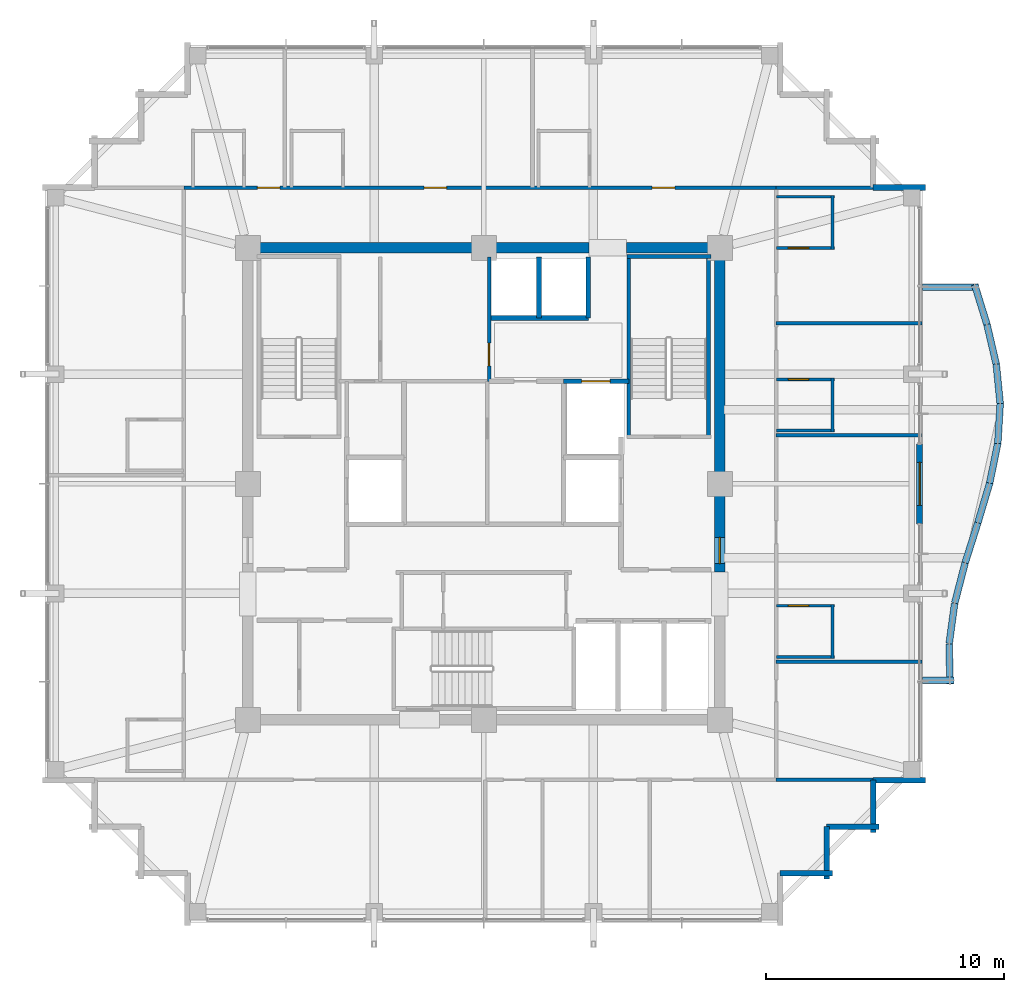
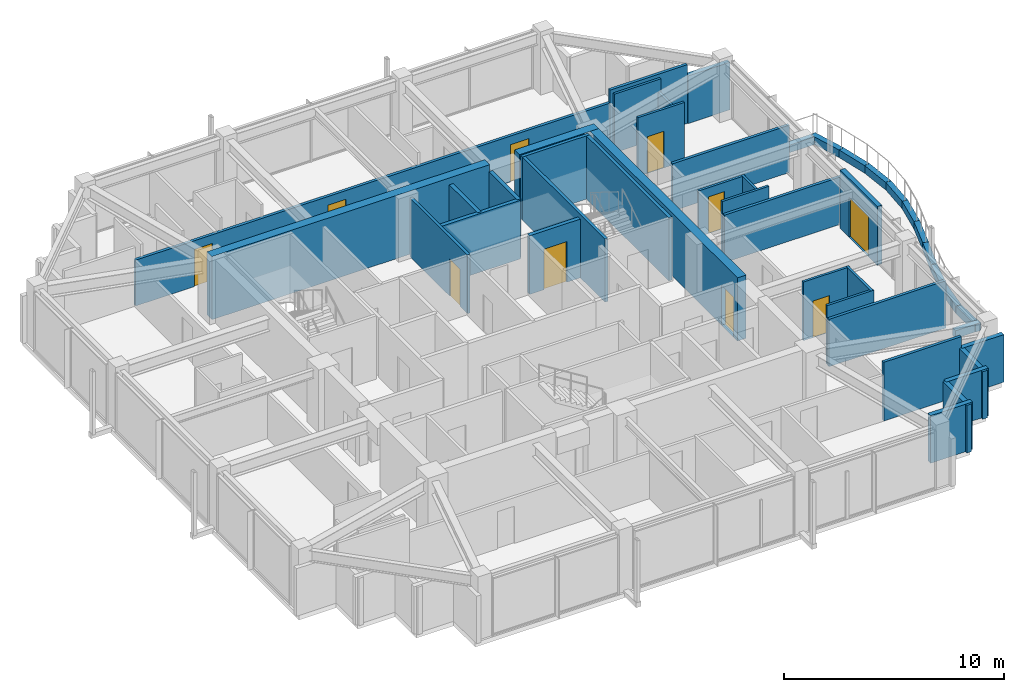
# One storey, part 26 of 29: 45 walls, 10 doors, 10 openings.
"""IFC4 building model written with IfcOpenShell, lengths in metres."""

from ifc_helpers import new_model, si_unit, direction, frame, frame_2d, origin, place, context, subcontext, project, spatial, rectangle, extrude, material, layer, layer_set, type_object, element, fill, save


model = new_model("IFC4")

# Units and contexts
model_context = context("Model", 3, precision=1e-05, world=origin(), true_north=direction((0.0, 1.0)))
body_context = subcontext(model_context, "Body", "Model", "MODEL_VIEW")
ifc_project = project(units=[si_unit("LENGTHUNIT", "METRE"), si_unit("AREAUNIT", "SQUARE_METRE"), si_unit("VOLUMEUNIT", "CUBIC_METRE"), si_unit("PLANEANGLEUNIT", "RADIAN"), si_unit("MASSUNIT", "GRAM", prefix="KILO")], contexts=[model_context])

# Site, building, storey
site_placement = place(None, origin())
site = spatial("IfcSite", under=ifc_project, at=site_placement, CompositionType="ELEMENT")
building_placement = place(site_placement, origin())
building = spatial("IfcBuilding", under=site, at=building_placement, Name="Kolvaren Belvedere", CompositionType="ELEMENT")
storey_placement = place(building_placement, frame((0.0, 0.0, 244.39990234375)))
storey = spatial("IfcBuildingStorey", under=building, at=storey_placement, Name="L71", CompositionType="ELEMENT", Elevation=244.39990234375)

# Walls
ifc_material_1 = material(Name="Concrete C50/60", Category="concrete")
ifc_layer_1 = layer(ifc_material_1, 0.449951171875)
ifc_layer_set_1 = layer_set([ifc_layer_1], Name="Concrete C50/60")
wall_type_1 = type_object("IfcWallType", Name="CW-CORE-450", PredefinedType="SHEAR", material=ifc_layer_set_1)
wall_1_placement = place(storey_placement, frame((-10.125, 9.89990234375, 0.0), z_axis=(0.0, 0.0, 1.0), x_axis=(1.0, 0.0, 0.0)))
element("IfcWall", 1, at=wall_1_placement, inside=storey, type_object=wall_type_1, Name="L71 North Core Shear Wall 1", PredefinedType="SHEAR", context=body_context, shape_type="SweptSolid", body=[
    extrude(rectangle(XDim=14.544921875, YDim=0.449951171875, at=frame_2d((7.2724609375, 0.0))), origin(), (0.0, 0.0, 1.0), 3.5),
])
wall_2_placement = place(storey_placement, frame((5.97998046875, 9.89990234375, 0.0), z_axis=(0.0, 0.0, 1.0), x_axis=(1.0, 0.0, 0.0)))
element("IfcWall", 2, at=wall_2_placement, inside=storey, type_object=wall_type_1, Name="L71 North Core Shear Wall 2", PredefinedType="SHEAR", context=body_context, shape_type="SweptSolid", body=[
    extrude(rectangle(XDim=4.14501953125, YDim=0.449951171875, at=frame_2d((2.072509765625, 0.0))), origin(), (0.0, 0.0, 1.0), 3.5),
])

# Wall, opening, door
wall_3_placement = place(storey_placement, frame((9.89990234375, -3.699951171875, 0.0), z_axis=(0.0, 0.0, 1.0), x_axis=(0.0, 1.0, 0.0)))
wall_3 = element("IfcWall", 3, at=wall_3_placement, inside=storey, type_object=wall_type_1, Name="L71 East Core Shear Wall 2", PredefinedType="SHEAR", context=body_context, shape_type="SweptSolid", body=[
    extrude(rectangle(XDim=13.375, YDim=0.449951171875, at=frame_2d((6.6875, 0.0))), origin(), (0.0, 0.0, 1.0), 3.5),
])
opening_1_placement = place(wall_3_placement, frame((0.35009765625, 0.0, 0.0)))
opening_1 = element("IfcOpeningElement", 4, at=opening_1_placement, cuts=wall_3, Name="Opening D-FD90", PredefinedType="OPENING", context=body_context, shape_type="SweptSolid", body=[
    extrude(rectangle(XDim=1.10009765625, YDim=2.199951171875, at=frame_2d((0.550048828125, 1.10009765625))), frame((0.0, 0.23486328125, 0.0), z_axis=(0.0, -1.0, 0.0), x_axis=(1.0, 0.0, 0.0)), (0.0, 0.0, 1.0), 0.469970703125),
])
ifc_material_2 = material(Name="Painted hollow stainless steel", Category="steel")
door_type_1 = type_object("IfcDoorType", Name="DR-FD90-1100", OperationType="NOTDEFINED", PredefinedType="DOOR", material=ifc_material_2)
door_1_placement = place(opening_1_placement, origin())
door_1 = element("IfcDoor", 5, at=door_1_placement, inside=storey, type_object=door_type_1, Name="L71 East Firefighting Lobby Fire Door", OperationType="SINGLE_SWING_RIGHT", OverallHeight=2.199951171875, OverallWidth=1.10009765625, PredefinedType="DOOR", context=body_context, shape_type="SweptSolid", body=[
    extrude(rectangle(XDim=1.10009765625, YDim=2.199951171875, at=frame_2d((0.550048828125, 1.10009765625))), frame((0.0, 0.02490234375, 0.0), z_axis=(0.0, -1.0, 0.0), x_axis=(1.0, 0.0, 0.0)), (0.0, 0.0, 1.0), 0.050048828125),
])
fill(opening_1, door_1)

# Walls
ifc_material_3 = material(Name="Concrete C50/60", Category="concrete")
ifc_layer_2 = layer(ifc_material_3, 0.159912109375)
ifc_layer_set_2 = layer_set([ifc_layer_2], Name="Concrete C50/60")
wall_type_2 = type_object("IfcWallType", Name="CW-STAIR-160", PredefinedType="SHEAR", material=ifc_layer_set_2)
wall_4_placement = place(storey_placement, frame((6.0, 9.530029296875, 0.0), z_axis=(0.0, 0.0, 1.0), x_axis=(1.0, 0.0, 0.0)))
element("IfcWall", 6, at=wall_4_placement, inside=storey, type_object=wall_type_2, Name="L71 Stair ST-2 North Shear Wall", PredefinedType="SHEAR", context=body_context, shape_type="SweptSolid", body=[
    extrude(rectangle(XDim=3.52001953125, YDim=0.159912109375, at=frame_2d((1.760009765625, 0.0))), origin(), (0.0, 0.0, 1.0), 3.5),
])
for number, where, z_axis, x_axis, name in (
    (7, (6.080078125, 1.969970703125, 0.0), (0.0, 0.0, 1.0), (0.0, 1.0, 0.0), "L71 Stair ST-2 West Shear Wall"),
    (8, (9.429931640625, 1.969970703125, 0.0), (0.0, 0.0, 1.0), (0.0, 1.0, 0.0), "L71 Stair ST-2 East Shear Wall"),
):
    element("IfcWall", number, at=place(storey_placement, frame(where, z_axis=z_axis, x_axis=x_axis)), inside=storey, type_object=wall_type_2, Name=name, PredefinedType="SHEAR", context=body_context, shape_type="SweptSolid", body=[
        extrude(rectangle(XDim=7.56005859375, YDim=0.159912109375, at=frame_2d((3.780029296875, 0.0))), origin(), (0.0, 0.0, 1.0), 3.5),
    ])

# Wall, openings, doors
ifc_material_4 = material(Name="Gypsum fire-rated partition assembly", Category="gypsum")
ifc_layer_3 = layer(ifc_material_4, 0.14990234375)
ifc_layer_set_3 = layer_set([ifc_layer_3], Name="Gypsum fire-rated partition assembly")
wall_type_3 = type_object("IfcWallType", Name="WL-CORR-150", PredefinedType="PARTITIONING", material=ifc_layer_set_3)
wall_5_placement = place(storey_placement, frame((-12.580078125, 12.419921875, 0.0), z_axis=(0.0, 0.0, 1.0), x_axis=(1.0, 0.0, 0.0)))
wall_5 = element("IfcWall", 9, at=wall_5_placement, inside=storey, type_object=wall_type_3, Name="L71 North Corridor Wall", PredefinedType="PARTITIONING", context=body_context, shape_type="SweptSolid", body=[
    extrude(rectangle(XDim=24.840087890625, YDim=0.14990234375, at=frame_2d((12.419921875, 0.0))), origin(), (0.0, 0.0, 1.0), 2.5390625),
])
opening_2_placement = place(wall_5_placement, frame((3.079345703125, 0.0, 0.0)))
opening_2 = element("IfcOpeningElement", 10, at=opening_2_placement, cuts=wall_5, Name="Opening D-FD60", PredefinedType="OPENING", context=body_context, shape_type="SweptSolid", body=[
    extrude(rectangle(XDim=0.949951171875, YDim=2.06005859375, at=frame_2d((0.47509765625, 1.030029296875))), frame((0.0, 0.0849609375, 0.0), z_axis=(0.0, -1.0, 0.0), x_axis=(1.0, 0.0, 0.0)), (0.0, 0.0, 1.0), 0.169921875),
])
opening_3_placement = place(wall_5_placement, frame((10.074951171875, 0.0, 0.0)))
opening_3 = element("IfcOpeningElement", 11, at=opening_3_placement, cuts=wall_5, Name="Opening D-FD60", PredefinedType="OPENING", context=body_context, shape_type="SweptSolid", body=[
    extrude(rectangle(XDim=0.949951171875, YDim=2.06005859375, at=frame_2d((0.47509765625, 1.030029296875))), frame((0.0, 0.0849609375, 0.0), z_axis=(0.0, -1.0, 0.0), x_axis=(1.0, 0.0, 0.0)), (0.0, 0.0, 1.0), 0.169921875),
])
opening_4_placement = place(wall_5_placement, frame((19.639892578125, 0.0, 0.0)))
opening_4 = element("IfcOpeningElement", 12, at=opening_4_placement, cuts=wall_5, Name="Opening D-FD60", PredefinedType="OPENING", context=body_context, shape_type="SweptSolid", body=[
    extrude(rectangle(XDim=0.949951171875, YDim=2.06005859375, at=frame_2d((0.47509765625, 1.030029296875))), frame((0.0, 0.0849609375, 0.0), z_axis=(0.0, -1.0, 0.0), x_axis=(1.0, 0.0, 0.0)), (0.0, 0.0, 1.0), 0.169921875),
])
ifc_material_5 = material(Name="Acoustic white-oak fire door leaf", Category="timber")
door_type_2 = type_object("IfcDoorType", Name="DR-FD60-950", OperationType="NOTDEFINED", PredefinedType="DOOR", material=ifc_material_5)
door_2_placement = place(opening_2_placement, origin())
door_2 = element("IfcDoor", 13, at=door_2_placement, inside=storey, type_object=door_type_2, Name="L71 Twin Guest Room 7109 Entry Door", OperationType="SINGLE_SWING_LEFT", OverallHeight=2.06005859375, OverallWidth=0.949951171875, PredefinedType="DOOR", context=body_context, shape_type="SweptSolid", body=[
    extrude(rectangle(XDim=0.949951171875, YDim=2.06005859375, at=frame_2d((0.47509765625, 1.030029296875))), frame((0.0, 0.02490234375, 0.0), z_axis=(0.0, -1.0, 0.0), x_axis=(1.0, 0.0, 0.0)), (0.0, 0.0, 1.0), 0.050048828125),
])
fill(opening_2, door_2)
door_3_placement = place(opening_3_placement, origin())
door_3 = element("IfcDoor", 14, at=door_3_placement, inside=storey, type_object=door_type_2, Name="L71 Deluxe King Guest Room 7110 Entry Door", OperationType="SINGLE_SWING_LEFT", OverallHeight=2.06005859375, OverallWidth=0.949951171875, PredefinedType="DOOR", context=body_context, shape_type="SweptSolid", body=[
    extrude(rectangle(XDim=0.949951171875, YDim=2.06005859375, at=frame_2d((0.47509765625, 1.030029296875))), frame((0.0, 0.02490234375, 0.0), z_axis=(0.0, -1.0, 0.0), x_axis=(1.0, 0.0, 0.0)), (0.0, 0.0, 1.0), 0.050048828125),
])
fill(opening_3, door_3)
door_4_placement = place(opening_4_placement, origin())
door_4 = element("IfcDoor", 15, at=door_4_placement, inside=storey, type_object=door_type_2, Name="L71 Twin Guest Room 7111 Entry Door", OperationType="SINGLE_SWING_LEFT", OverallHeight=2.06005859375, OverallWidth=0.949951171875, PredefinedType="DOOR", context=body_context, shape_type="SweptSolid", body=[
    extrude(rectangle(XDim=0.949951171875, YDim=2.06005859375, at=frame_2d((0.47509765625, 1.030029296875))), frame((0.0, 0.02490234375, 0.0), z_axis=(0.0, -1.0, 0.0), x_axis=(1.0, 0.0, 0.0)), (0.0, 0.0, 1.0), 0.050048828125),
])
fill(opening_4, door_4)

# Walls
ifc_material_6 = material(Name="Insulated pale-metal facade wall assembly", Category="aluminium")
ifc_layer_4 = layer(ifc_material_6, 0.239990234375)
ifc_layer_set_4 = layer_set([ifc_layer_4], Name="Insulated pale-metal facade wall assembly")
wall_type_4 = type_object("IfcWallType", Name="WL-EXT-240", PredefinedType="STANDARD", material=ifc_layer_set_4)
for number, where, z_axis, x_axis, name in (
    (16, (14.6201171875, -16.330078125, 0.0), (0.0, 0.0, 1.0), (-1.0, 0.0, 0.0), "L71 Serrated Corner Facade Wall 3"),
    (17, (14.3798828125, -14.3798828125, 0.0), (0.0, 0.0, 1.0), (0.0, -1.0, 0.0), "L71 Serrated Corner Facade Wall 4"),
    (18, (16.570068359375, -14.3798828125, 0.0), (0.0, 0.0, 1.0), (-1.0, 0.0, 0.0), "L71 Serrated Corner Facade Wall 5"),
    (19, (16.330078125, -12.429931640625, 0.0), (0.0, 0.0, 1.0), (0.0, -1.0, 0.0), "L71 Serrated Corner Facade Wall 6"),
):
    element("IfcWall", number, at=place(storey_placement, frame(where, z_axis=z_axis, x_axis=x_axis)), inside=storey, type_object=wall_type_4, Name=name, PredefinedType="STANDARD", context=body_context, shape_type="SweptSolid", body=[
        extrude(rectangle(XDim=2.190185546875, YDim=0.239990234375, at=frame_2d((1.09521484375, 0.0))), origin(), (0.0, 0.0, 1.0), 2.633056640625),
    ])
wall_6_placement = place(storey_placement, frame((18.52001953125, -12.429931640625, 0.0), z_axis=(0.0, 0.0, 1.0), x_axis=(-1.0, 0.0, 0.0)))
element("IfcWall", 20, at=wall_6_placement, inside=storey, type_object=wall_type_4, Name="L71 Serrated Corner Facade Wall 7", PredefinedType="STANDARD", context=body_context, shape_type="SweptSolid", body=[
    extrude(rectangle(XDim=2.18994140625, YDim=0.239990234375, at=frame_2d((1.094970703125, 0.0))), origin(), (0.0, 0.0, 1.0), 2.633056640625),
])

# Wall, opening, door
wall_7_placement = place(storey_placement, frame((18.280029296875, 1.679931640625, 0.0), z_axis=(0.0, 0.0, 1.0), x_axis=(0.0, -1.0, 0.0)))
wall_7 = element("IfcWall", 21, at=wall_7_placement, inside=storey, type_object=wall_type_4, Name="L71 East Terrace Portal Wall", PredefinedType="STANDARD", context=body_context, shape_type="SweptSolid", body=[
    extrude(rectangle(XDim=3.35986328125, YDim=0.239990234375, at=frame_2d((1.679931640625, 0.0))), origin(), (0.0, 0.0, 1.0), 3.25),
])
opening_5_placement = place(wall_7_placement, frame((0.780029296875, 0.0, 0.0)))
opening_5 = element("IfcOpeningElement", 22, at=opening_5_placement, cuts=wall_7, Name="Opening DB-1800", PredefinedType="OPENING", context=body_context, shape_type="SweptSolid", body=[
    extrude(rectangle(XDim=1.800048828125, YDim=2.199951171875, at=frame_2d((0.89990234375, 1.10009765625))), frame((0.0, 0.1298828125, 0.0), z_axis=(0.0, -1.0, 0.0), x_axis=(1.0, 0.0, 0.0)), (0.0, 0.0, 1.0), 0.260009765625),
])
ifc_material_7 = material(Name="Thermally broken pale-metal aluminium & low-iron glass", Category="aluminium")
door_type_3 = type_object("IfcDoorType", Name="DR-BAL-1800", OperationType="DOUBLE_DOOR_SLIDING", PredefinedType="DOOR", material=ifc_material_7)
door_5_placement = place(opening_5_placement, origin())
door_5 = element("IfcDoor", 23, at=door_5_placement, inside=storey, type_object=door_type_3, Name="L71 East Planted Terrace Sliding Door", OperationType="DOUBLE_DOOR_SLIDING", OverallHeight=2.199951171875, OverallWidth=1.800048828125, PredefinedType="DOOR", context=body_context, shape_type="SweptSolid", body=[
    extrude(rectangle(XDim=1.800048828125, YDim=2.199951171875, at=frame_2d((0.89990234375, 1.10009765625))), frame((0.0, 0.02490234375, 0.0), z_axis=(0.0, -1.0, 0.0), x_axis=(1.0, 0.0, 0.0)), (0.0, 0.0, 1.0), 0.050048828125),
])
fill(opening_5, door_5)

# Wall
wall_8_placement = place(storey_placement, frame((16.330078125, 12.429931640625, 0.0), z_axis=(0.0, 0.0, 1.0), x_axis=(1.0, 0.0, 0.0)))
element("IfcWall", 24, at=wall_8_placement, inside=storey, type_object=wall_type_4, Name="L71 Serrated Corner Facade Wall 9", PredefinedType="STANDARD", context=body_context, shape_type="SweptSolid", body=[
    extrude(rectangle(XDim=2.18994140625, YDim=0.239990234375, at=frame_2d((1.094970703125, 0.0))), origin(), (0.0, 0.0, 1.0), 2.633056640625),
])

# Wall, opening, door
ifc_material_8 = material(Name="Gypsum acoustic partition assembly", Category="gypsum")
ifc_layer_5 = layer(ifc_material_8, 0.14990234375)
ifc_layer_set_5 = layer_set([ifc_layer_5], Name="Gypsum acoustic partition assembly")
wall_type_5 = type_object("IfcWallType", Name="WL-PART-150", PredefinedType="PARTITIONING", material=ifc_layer_set_5)
wall_9_placement = place(storey_placement, frame((0.219970703125, 4.300048828125, 0.0), z_axis=(0.0, 0.0, 1.0), x_axis=(0.0, 1.0, 0.0)))
wall_9 = element("IfcWall", 25, at=wall_9_placement, inside=storey, type_object=wall_type_5, Name="L71 Reclaimed Salon East Wall", PredefinedType="PARTITIONING", context=body_context, shape_type="SweptSolid", body=[
    extrude(rectangle(XDim=5.219970703125, YDim=0.14990234375, at=frame_2d((2.60986328125, 0.0))), origin(), (0.0, 0.0, 1.0), 3.25),
])
opening_6_placement = place(wall_9_placement, frame((0.64990234375, 0.0, 0.0)))
opening_6 = element("IfcOpeningElement", 26, at=opening_6_placement, cuts=wall_9, Name="Opening D-INT95", PredefinedType="OPENING", context=body_context, shape_type="SweptSolid", body=[
    extrude(rectangle(XDim=0.949951171875, YDim=2.06005859375, at=frame_2d((0.47509765625, 1.030029296875))), frame((0.0, 0.0849609375, 0.0), z_axis=(0.0, -1.0, 0.0), x_axis=(1.0, 0.0, 0.0)), (0.0, 0.0, 1.0), 0.169921875),
])
ifc_material_9 = material(Name="Stained Pacific white oak", Category="timber")
door_type_4 = type_object("IfcDoorType", Name="DR-INT-950", OperationType="NOTDEFINED", PredefinedType="DOOR", material=ifc_material_9)
door_6_placement = place(opening_6_placement, origin())
door_6 = element("IfcDoor", 27, at=door_6_placement, inside=storey, type_object=door_type_4, Name="L71 Art Salon Door", OperationType="SINGLE_SWING_LEFT", OverallHeight=2.06005859375, OverallWidth=0.949951171875, PredefinedType="DOOR", context=body_context, shape_type="SweptSolid", body=[
    extrude(rectangle(XDim=0.949951171875, YDim=2.06005859375, at=frame_2d((0.47509765625, 1.030029296875))), frame((0.0, 0.02490234375, 0.0), z_axis=(0.0, -1.0, 0.0), x_axis=(1.0, 0.0, 0.0)), (0.0, 0.0, 1.0), 0.050048828125),
])
fill(opening_6, door_6)

# Walls
for number, where, z_axis, x_axis, name in (
    (28, (12.260009765625, -12.419921875, 0.0), (0.0, 0.0, 1.0), (1.0, 0.0, 0.0), "L71 Wing Divider PW-L71-QSE"),
    (29, (12.260009765625, 12.419921875, 0.0), (0.0, 0.0, 1.0), (1.0, 0.0, 0.0), "L71 Wing Divider PW-L71-QNE"),
):
    element("IfcWall", number, at=place(storey_placement, frame(where, z_axis=z_axis, x_axis=x_axis)), inside=storey, type_object=wall_type_5, Name=name, PredefinedType="PARTITIONING", context=body_context, shape_type="SweptSolid", body=[
        extrude(rectangle(XDim=4.06005859375, YDim=0.14990234375, at=frame_2d((2.030029296875, 0.0))), origin(), (0.0, 0.0, 1.0), 3.25),
    ])
for number, where, z_axis, x_axis, name in (
    (30, (12.260009765625, -7.4599609375, 0.0), (0.0, 0.0, 1.0), (1.0, 0.0, 0.0), "L71 East Suite Demising Wall 1"),
    (31, (12.260009765625, 2.0400390625, 0.0), (0.0, 0.0, 1.0), (1.0, 0.0, 0.0), "L71 East Suite Demising Wall 2"),
    (32, (12.260009765625, 6.739990234375, 0.0), (0.0, 0.0, 1.0), (1.0, 0.0, 0.0), "L71 East Suite Demising Wall 3"),
):
    element("IfcWall", number, at=place(storey_placement, frame(where, z_axis=z_axis, x_axis=x_axis)), inside=storey, type_object=wall_type_5, Name=name, PredefinedType="PARTITIONING", context=body_context, shape_type="SweptSolid", body=[
        extrude(rectangle(XDim=6.119873046875, YDim=0.14990234375, at=frame_2d((3.06005859375, 0.0))), origin(), (0.0, 0.0, 1.0), 2.623046875),
    ])
ifc_material_10 = material(Name="Precast concrete C40/50", Category="concrete")
ifc_layer_6 = layer(ifc_material_10, 0.300048828125)
ifc_layer_set_6 = layer_set([ifc_layer_6], Name="Precast concrete C40/50")
wall_type_6 = type_object("IfcWallType", Name="WL-PLANTER-300", PredefinedType="PARAPET", material=ifc_layer_set_6)
wall_10_placement = place(storey_placement, frame((19.552978515625, -8.4033203125, -0.06982421875), z_axis=(0.0, 0.0, 1.0), x_axis=(-0.020193498486, 0.99979609052, 0.0)))
element("IfcWall", 33, at=wall_10_placement, inside=storey, type_object=wall_type_6, Name="L71 Precast Structural Planter Wall BAL-E-1", PredefinedType="PARAPET", context=body_context, shape_type="SweptSolid", body=[
    extrude(rectangle(XDim=1.680419921875, YDim=0.280029296875, at=frame_2d((0.84033203125, 0.0))), origin(), (0.0, 0.0, 1.0), 0.419921875),
])
wall_11_placement = place(storey_placement, frame((19.5205078125, -6.698486328125, -0.06982421875), z_axis=(0.0, 0.0, 1.0), x_axis=(0.134907602079, 0.990858183042, 0.0)))
element("IfcWall", 34, at=wall_11_placement, inside=storey, type_object=wall_type_6, Name="L71 Precast Structural Planter Wall BAL-E-2", PredefinedType="PARAPET", context=body_context, shape_type="SweptSolid", body=[
    extrude(rectangle(XDim=1.695556640625, YDim=0.280029296875, at=frame_2d((0.84765625, 0.0))), origin(), (0.0, 0.0, 1.0), 0.419921875),
])
wall_12_placement = place(storey_placement, frame((19.7529296875, -5.0, -0.06982421875), z_axis=(0.0, 0.0, 1.0), x_axis=(0.250405556038, 0.968141031826, 0.0)))
element("IfcWall", 35, at=wall_12_placement, inside=storey, type_object=wall_type_6, Name="L71 Precast Structural Planter Wall BAL-E-3", PredefinedType="PARAPET", context=body_context, shape_type="SweptSolid", body=[
    extrude(rectangle(XDim=1.7353515625, YDim=0.280029296875, at=frame_2d((0.86767578125, 0.0))), origin(), (0.0, 0.0, 1.0), 0.419921875),
])
wall_13_placement = place(storey_placement, frame((20.18994140625, -3.3115234375, -0.06982421875), z_axis=(0.0, 0.0, 1.0), x_axis=(0.302397356111, 0.953181954832, 0.0)))
element("IfcWall", 36, at=wall_13_placement, inside=storey, type_object=wall_type_6, Name="L71 Precast Structural Planter Wall BAL-E-4", PredefinedType="PARAPET", context=body_context, shape_type="SweptSolid", body=[
    extrude(rectangle(XDim=1.762451171875, YDim=0.280029296875, at=frame_2d((0.88134765625, 0.0))), origin(), (0.0, 0.0, 1.0), 0.419921875),
])
wall_14_placement = place(storey_placement, frame((20.721923828125, -1.634521484375, -0.06982421875), z_axis=(0.0, 0.0, 1.0), x_axis=(0.284970268083, 0.958536356279, 0.0)))
element("IfcWall", 37, at=wall_14_placement, inside=storey, type_object=wall_type_6, Name="L71 Precast Structural Planter Wall BAL-E-5", PredefinedType="PARAPET", context=body_context, shape_type="SweptSolid", body=[
    extrude(rectangle(XDim=1.7529296875, YDim=0.280029296875, at=frame_2d((0.87646484375, 0.0))), origin(), (0.0, 0.0, 1.0), 0.419921875),
])
wall_15_placement = place(storey_placement, frame((21.218017578125, 0.031982421875, -0.06982421875), z_axis=(0.0, 0.0, 1.0), x_axis=(0.199647526069, 0.979867779516, 0.0)))
element("IfcWall", 38, at=wall_15_placement, inside=storey, type_object=wall_type_6, Name="L71 Precast Structural Planter Wall BAL-E-6", PredefinedType="PARAPET", context=body_context, shape_type="SweptSolid", body=[
    extrude(rectangle(XDim=1.71435546875, YDim=0.280029296875, at=frame_2d((0.857177734375, 0.0))), origin(), (0.0, 0.0, 1.0), 0.419921875),
])
wall_16_placement = place(storey_placement, frame((21.5576171875, 1.689697265625, -0.06982421875), z_axis=(0.0, 0.0, 1.0), x_axis=(0.061059932685, 0.998134101522, 0.0)))
element("IfcWall", 39, at=wall_16_placement, inside=storey, type_object=wall_type_6, Name="L71 Precast Structural Planter Wall BAL-E-7", PredefinedType="PARAPET", context=body_context, shape_type="SweptSolid", body=[
    extrude(rectangle(XDim=1.683349609375, YDim=0.280029296875, at=frame_2d((0.841796875, 0.0))), origin(), (0.0, 0.0, 1.0), 0.419921875),
])
wall_17_placement = place(storey_placement, frame((21.660888671875, 3.343994140625, -0.06982421875), z_axis=(0.0, 0.0, 1.0), x_axis=(-0.099618240186, 0.995025731437, 0.0)))
element("IfcWall", 40, at=wall_17_placement, inside=storey, type_object=wall_type_6, Name="L71 Precast Structural Planter Wall BAL-E-8", PredefinedType="PARAPET", context=body_context, shape_type="SweptSolid", body=[
    extrude(rectangle(XDim=1.6884765625, YDim=0.280029296875, at=frame_2d((0.84423828125, 0.0))), origin(), (0.0, 0.0, 1.0), 0.419921875),
])
wall_18_placement = place(storey_placement, frame((21.49609375, 5.003662109375, -0.06982421875), z_axis=(0.0, 0.0, 1.0), x_axis=(-0.227019323824, 0.973890253884, 0.0)))
element("IfcWall", 41, at=wall_18_placement, inside=storey, type_object=wall_type_6, Name="L71 Precast Structural Planter Wall BAL-E-9", PredefinedType="PARAPET", context=body_context, shape_type="SweptSolid", body=[
    extrude(rectangle(XDim=1.724853515625, YDim=0.280029296875, at=frame_2d((0.8623046875, 0.0))), origin(), (0.0, 0.0, 1.0), 0.419921875),
])
wall_19_placement = place(storey_placement, frame((21.107421875, 6.672607421875, -0.06982421875), z_axis=(0.0, 0.0, 1.0), x_axis=(-0.29579229954, 0.955252278476, 0.0)))
element("IfcWall", 42, at=wall_19_placement, inside=storey, type_object=wall_type_6, Name="L71 Precast Structural Planter Wall BAL-E-10", PredefinedType="PARAPET", context=body_context, shape_type="SweptSolid", body=[
    extrude(rectangle(XDim=1.7587890625, YDim=0.280029296875, at=frame_2d((0.87939453125, 0.0))), origin(), (0.0, 0.0, 1.0), 0.419921875),
])
wall_20_placement = place(storey_placement, frame((20.739990234375, 8.239990234375, -0.06982421875), z_axis=(0.0, 0.0, 1.0), x_axis=(-1.0, 0.0, 0.0)))
element("IfcWall", 43, at=wall_20_placement, inside=storey, type_object=wall_type_6, Name="L71 Precast Structural Planter Wall BAL-E-11", PredefinedType="PARAPET", context=body_context, shape_type="SweptSolid", body=[
    extrude(rectangle(XDim=2.340087890625, YDim=0.280029296875, at=frame_2d((1.169921875, 0.0))), origin(), (0.0, 0.0, 1.0), 0.419921875),
])
wall_21_placement = place(storey_placement, frame((18.39990234375, -8.239990234375, -0.06982421875), z_axis=(0.0, 0.0, 1.0), x_axis=(1.0, 0.0, 0.0)))
element("IfcWall", 44, at=wall_21_placement, inside=storey, type_object=wall_type_6, Name="L71 Precast Structural Planter Wall BAL-E-22", PredefinedType="PARAPET", context=body_context, shape_type="SweptSolid", body=[
    extrude(rectangle(XDim=1.31298828125, YDim=0.280029296875, at=frame_2d((0.656494140625, 0.0))), origin(), (0.0, 0.0, 1.0), 0.419921875),
])

# Wall, opening, door
ifc_material_11 = material(Name="Concrete C50/60", Category="concrete")
ifc_layer_7 = layer(ifc_material_11, 0.199951171875)
ifc_layer_set_7 = layer_set([ifc_layer_7], Name="Concrete C50/60")
wall_type_7 = type_object("IfcWallType", Name="WL-SHAFT-200", PredefinedType="SOLIDWALL", material=ifc_layer_set_7)
wall_22_placement = place(storey_placement, frame((3.35009765625, 4.300048828125, 0.0), z_axis=(0.0, 0.0, 1.0), x_axis=(1.0, 0.0, 0.0)))
wall_22 = element("IfcWall", 45, at=wall_22_placement, inside=storey, type_object=wall_type_7, Name="L71 Service Lift SV1 Front Wall", PredefinedType="SOLIDWALL", context=body_context, shape_type="SweptSolid", body=[
    extrude(rectangle(XDim=2.72998046875, YDim=0.199951171875, at=frame_2d((1.364990234375, 0.0))), origin(), (0.0, 0.0, 1.0), 3.25),
])
opening_7_placement = place(wall_22_placement, frame((0.75, 0.0, 0.0)))
opening_7 = element("IfcOpeningElement", 46, at=opening_7_placement, cuts=wall_22, Name="Opening LD-12", PredefinedType="OPENING", context=body_context, shape_type="SweptSolid", body=[
    extrude(rectangle(XDim=1.199951171875, YDim=2.25, at=frame_2d((0.60009765625, 1.125))), frame((0.0, 0.10986328125, 0.0), z_axis=(0.0, -1.0, 0.0), x_axis=(1.0, 0.0, 0.0)), (0.0, 0.0, 1.0), 0.219970703125),
])
ifc_material_12 = material(Name="Brushed stainless steel", Category="steel")
door_type_5 = type_object("IfcDoorType", Name="DR-LIFT-1200", OperationType="DOUBLE_DOOR_SLIDING", PredefinedType="DOOR", material=ifc_material_12)
door_7_placement = place(opening_7_placement, origin())
door_7 = element("IfcDoor", 47, at=door_7_placement, inside=storey, type_object=door_type_5, Name="L71 Service Lift SV1 Landing Door", OperationType="DOUBLE_DOOR_SLIDING", OverallHeight=2.25, OverallWidth=1.199951171875, PredefinedType="DOOR", context=body_context, shape_type="SweptSolid", body=[
    extrude(rectangle(XDim=1.199951171875, YDim=2.25, at=frame_2d((0.60009765625, 1.125))), frame((0.0, 0.02490234375, 0.0), z_axis=(0.0, -1.0, 0.0), x_axis=(1.0, 0.0, 0.0)), (0.0, 0.0, 1.0), 0.050048828125),
])
fill(opening_7, door_7)

# Walls
wall_23_placement = place(storey_placement, frame((0.219970703125, 6.949951171875, 0.0), z_axis=(0.0, 0.0, 1.0), x_axis=(1.0, 0.0, 0.0)))
element("IfcWall", 48, at=wall_23_placement, inside=storey, type_object=wall_type_7, Name="L71 Express Shuttle Hoistway Wall", PredefinedType="SOLIDWALL", context=body_context, shape_type="SweptSolid", body=[
    extrude(rectangle(XDim=4.179931640625, YDim=0.199951171875, at=frame_2d((2.08984375, 0.0))), origin(), (0.0, 0.0, 1.0), 3.25),
])
for number, where, z_axis, x_axis, name in (
    (49, (4.3798828125, 6.949951171875, 0.0), (0.0, 0.0, 1.0), (0.0, 1.0, 0.0), "L71 Express Shuttle East Wall"),
    (50, (2.31005859375, 6.949951171875, 0.0), (0.0, 0.0, 1.0), (0.0, 1.0, 0.0), "L71 Express Shuttle Divider"),
):
    element("IfcWall", number, at=place(storey_placement, frame(where, z_axis=z_axis, x_axis=x_axis)), inside=storey, type_object=wall_type_7, Name=name, PredefinedType="SOLIDWALL", context=body_context, shape_type="SweptSolid", body=[
        extrude(rectangle(XDim=2.570068359375, YDim=0.199951171875, at=frame_2d((1.28515625, 0.0))), origin(), (0.0, 0.0, 1.0), 3.25),
    ])

# Wall, opening, door
ifc_material_13 = material(Name="Moisture-resistant gypsum partition", Category="gypsum")
ifc_layer_8 = layer(ifc_material_13, 0.125)
ifc_layer_set_8 = layer_set([ifc_layer_8], Name="Moisture-resistant gypsum partition")
wall_type_8 = type_object("IfcWallType", Name="WL-WET-125", PredefinedType="PARTITIONING", material=ifc_layer_set_8)
wall_24_placement = place(storey_placement, frame((12.27490234375, -5.114990234375, 0.0), z_axis=(0.0, 0.0, 1.0), x_axis=(1.0, 0.0, 0.0)))
wall_24 = element("IfcWall", 51, at=wall_24_placement, inside=storey, type_object=wall_type_8, Name="L71 Bathroom Partition PW-L71-BTH-4-N", PredefinedType="PARTITIONING", context=body_context, shape_type="SweptSolid", body=[
    extrude(rectangle(XDim=2.440185546875, YDim=0.125, at=frame_2d((1.22021484375, 0.0))), origin(), (0.0, 0.0, 1.0), 3.25),
])
opening_8_placement = place(wall_24_placement, frame((0.5, 0.0, 0.0)))
opening_8 = element("IfcOpeningElement", 52, at=opening_8_placement, cuts=wall_24, Name="Opening D-BTH85", PredefinedType="OPENING", context=body_context, shape_type="SweptSolid", body=[
    extrude(rectangle(XDim=0.85009765625, YDim=2.030029296875, at=frame_2d((0.425048828125, 1.01513671875))), frame((0.0, 0.072509765625, 0.0), z_axis=(0.0, -1.0, 0.0), x_axis=(1.0, 0.0, 0.0)), (0.0, 0.0, 1.0), 0.14501953125),
])
ifc_material_14 = material(Name="Moisture-sealed Pacific white oak", Category="timber")
door_type_6 = type_object("IfcDoorType", Name="DR-BATH-850", OperationType="NOTDEFINED", PredefinedType="DOOR", material=ifc_material_14)
door_8_placement = place(opening_8_placement, origin())
door_8 = element("IfcDoor", 53, at=door_8_placement, inside=storey, type_object=door_type_6, Name="L71 En-Suite Bathroom 7104 Door", OperationType="SINGLE_SWING_RIGHT", OverallHeight=2.030029296875, OverallWidth=0.85009765625, PredefinedType="DOOR", context=body_context, shape_type="SweptSolid", body=[
    extrude(rectangle(XDim=0.85009765625, YDim=2.030029296875, at=frame_2d((0.425048828125, 1.01513671875))), frame((0.0, 0.02490234375, 0.0), z_axis=(0.0, -1.0, 0.0), x_axis=(1.0, 0.0, 0.0)), (0.0, 0.0, 1.0), 0.050048828125),
])
fill(opening_8, door_8)

# Walls
wall_25_placement = place(storey_placement, frame((14.635009765625, -7.324951171875, 0.0), z_axis=(0.0, 0.0, 1.0), x_axis=(0.0, 1.0, 0.0)))
element("IfcWall", 54, at=wall_25_placement, inside=storey, type_object=wall_type_8, Name="L71 Bathroom Partition PW-L71-BTH-4-V", PredefinedType="PARTITIONING", context=body_context, shape_type="SweptSolid", body=[
    extrude(rectangle(XDim=2.27001953125, YDim=0.125, at=frame_2d((1.135009765625, 0.0))), origin(), (0.0, 0.0, 1.0), 3.25),
])
wall_26_placement = place(storey_placement, frame((12.27490234375, -7.264892578125, 0.0), z_axis=(0.0, 0.0, 1.0), x_axis=(1.0, 0.0, 0.0)))
element("IfcWall", 55, at=wall_26_placement, inside=storey, type_object=wall_type_8, Name="L71 Bathroom Partition PW-L71-BTH-4-S", PredefinedType="PARTITIONING", context=body_context, shape_type="SweptSolid", body=[
    extrude(rectangle(XDim=2.440185546875, YDim=0.125, at=frame_2d((1.22021484375, 0.0))), origin(), (0.0, 0.0, 1.0), 3.25),
])

# Wall, opening, door
wall_27_placement = place(storey_placement, frame((12.27490234375, 4.385009765625, 0.0), z_axis=(0.0, 0.0, 1.0), x_axis=(1.0, 0.0, 0.0)))
wall_27 = element("IfcWall", 56, at=wall_27_placement, inside=storey, type_object=wall_type_8, Name="L71 Bathroom Partition PW-L71-BTH-5-N", PredefinedType="PARTITIONING", context=body_context, shape_type="SweptSolid", body=[
    extrude(rectangle(XDim=2.440185546875, YDim=0.125, at=frame_2d((1.22021484375, 0.0))), origin(), (0.0, 0.0, 1.0), 2.5390625),
])
opening_9_placement = place(wall_27_placement, frame((0.5, 0.0, 0.0)))
opening_9 = element("IfcOpeningElement", 57, at=opening_9_placement, cuts=wall_27, Name="Opening D-BTH85", PredefinedType="OPENING", context=body_context, shape_type="SweptSolid", body=[
    extrude(rectangle(XDim=0.85009765625, YDim=2.030029296875, at=frame_2d((0.425048828125, 1.01513671875))), frame((0.0, 0.072509765625, 0.0), z_axis=(0.0, -1.0, 0.0), x_axis=(1.0, 0.0, 0.0)), (0.0, 0.0, 1.0), 0.14501953125),
])
door_9_placement = place(opening_9_placement, origin())
door_9 = element("IfcDoor", 58, at=door_9_placement, inside=storey, type_object=door_type_6, Name="L71 En-Suite Bathroom 7105 Door", OperationType="SINGLE_SWING_RIGHT", OverallHeight=2.030029296875, OverallWidth=0.85009765625, PredefinedType="DOOR", context=body_context, shape_type="SweptSolid", body=[
    extrude(rectangle(XDim=0.85009765625, YDim=2.030029296875, at=frame_2d((0.425048828125, 1.01513671875))), frame((0.0, 0.02490234375, 0.0), z_axis=(0.0, -1.0, 0.0), x_axis=(1.0, 0.0, 0.0)), (0.0, 0.0, 1.0), 0.050048828125),
])
fill(opening_9, door_9)

# Walls
wall_28_placement = place(storey_placement, frame((14.635009765625, 2.175048828125, 0.0), z_axis=(0.0, 0.0, 1.0), x_axis=(0.0, 1.0, 0.0)))
element("IfcWall", 59, at=wall_28_placement, inside=storey, type_object=wall_type_8, Name="L71 Bathroom Partition PW-L71-BTH-5-V", PredefinedType="PARTITIONING", context=body_context, shape_type="SweptSolid", body=[
    extrude(rectangle(XDim=2.27001953125, YDim=0.125, at=frame_2d((1.135009765625, 0.0))), origin(), (0.0, 0.0, 1.0), 2.5390625),
])
wall_29_placement = place(storey_placement, frame((12.27490234375, 2.235107421875, 0.0), z_axis=(0.0, 0.0, 1.0), x_axis=(1.0, 0.0, 0.0)))
element("IfcWall", 60, at=wall_29_placement, inside=storey, type_object=wall_type_8, Name="L71 Bathroom Partition PW-L71-BTH-5-S", PredefinedType="PARTITIONING", context=body_context, shape_type="SweptSolid", body=[
    extrude(rectangle(XDim=2.440185546875, YDim=0.125, at=frame_2d((1.22021484375, 0.0))), origin(), (0.0, 0.0, 1.0), 3.25),
])

# Wall, opening, door
wall_30_placement = place(storey_placement, frame((12.27490234375, 9.89111328125, 0.0), z_axis=(0.0, 0.0, 1.0), x_axis=(1.0, 0.0, 0.0)))
wall_30 = element("IfcWall", 61, at=wall_30_placement, inside=storey, type_object=wall_type_8, Name="L71 Bathroom Partition PW-L71-BTH-6-N", PredefinedType="PARTITIONING", context=body_context, shape_type="SweptSolid", body=[
    extrude(rectangle(XDim=2.440185546875, YDim=0.125, at=frame_2d((1.22021484375, 0.0))), origin(), (0.0, 0.0, 1.0), 3.25),
])
opening_10_placement = place(wall_30_placement, frame((0.5, 0.0, 0.0)))
opening_10 = element("IfcOpeningElement", 62, at=opening_10_placement, cuts=wall_30, Name="Opening D-BTH85", PredefinedType="OPENING", context=body_context, shape_type="SweptSolid", body=[
    extrude(rectangle(XDim=0.85009765625, YDim=2.030029296875, at=frame_2d((0.425048828125, 1.01513671875))), frame((0.0, 0.072509765625, 0.0), z_axis=(0.0, -1.0, 0.0), x_axis=(1.0, 0.0, 0.0)), (0.0, 0.0, 1.0), 0.14501953125),
])
door_10_placement = place(opening_10_placement, origin())
door_10 = element("IfcDoor", 63, at=door_10_placement, inside=storey, type_object=door_type_6, Name="L71 En-Suite Bathroom 7106 Door", OperationType="SINGLE_SWING_RIGHT", OverallHeight=2.030029296875, OverallWidth=0.85009765625, PredefinedType="DOOR", context=body_context, shape_type="SweptSolid", body=[
    extrude(rectangle(XDim=0.85009765625, YDim=2.030029296875, at=frame_2d((0.425048828125, 1.01513671875))), frame((0.0, 0.02490234375, 0.0), z_axis=(0.0, -1.0, 0.0), x_axis=(1.0, 0.0, 0.0)), (0.0, 0.0, 1.0), 0.050048828125),
])
fill(opening_10, door_10)

# Walls
wall_31_placement = place(storey_placement, frame((14.635009765625, 9.8310546875, 0.0), z_axis=(0.0, 0.0, 1.0), x_axis=(0.0, 1.0, 0.0)))
element("IfcWall", 64, at=wall_31_placement, inside=storey, type_object=wall_type_8, Name="L71 Bathroom Partition PW-L71-BTH-6-V", PredefinedType="PARTITIONING", context=body_context, shape_type="SweptSolid", body=[
    extrude(rectangle(XDim=2.27001953125, YDim=0.125, at=frame_2d((1.135009765625, 0.0))), origin(), (0.0, 0.0, 1.0), 2.5390625),
])
wall_32_placement = place(storey_placement, frame((12.27490234375, 12.041015625, 0.0), z_axis=(0.0, 0.0, 1.0), x_axis=(1.0, 0.0, 0.0)))
element("IfcWall", 65, at=wall_32_placement, inside=storey, type_object=wall_type_8, Name="L71 Bathroom Partition PW-L71-BTH-6-S", PredefinedType="PARTITIONING", context=body_context, shape_type="SweptSolid", body=[
    extrude(rectangle(XDim=2.440185546875, YDim=0.125, at=frame_2d((1.22021484375, 0.0))), origin(), (0.0, 0.0, 1.0), 3.25),
])

save(model, "model.ifc")
